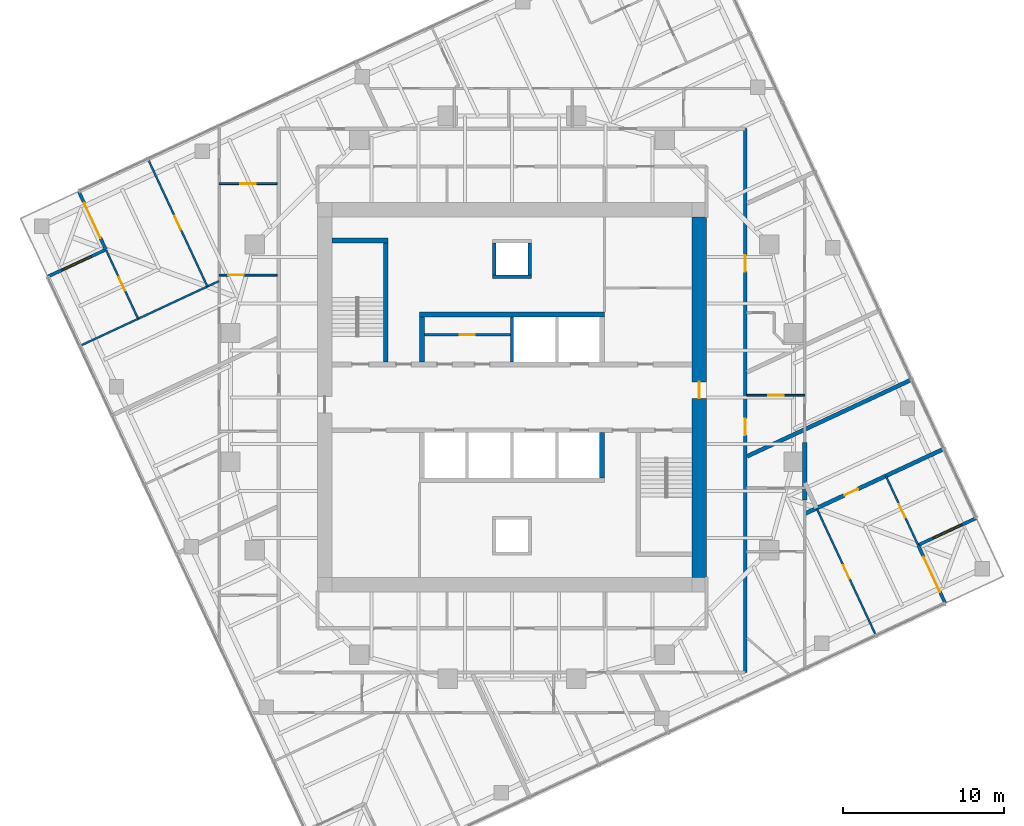
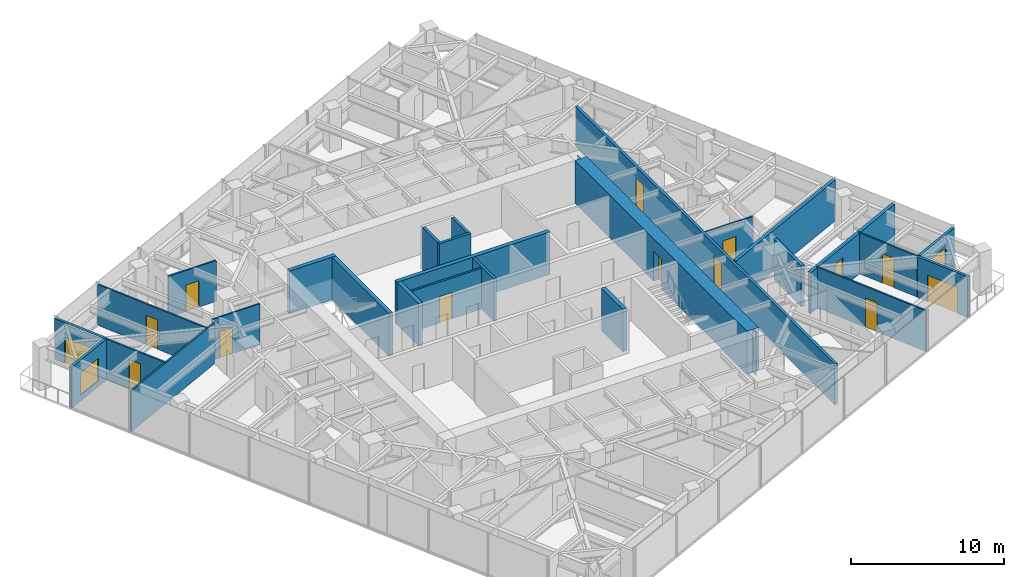
# One storey, part 9 of 13: 27 walls, 14 doors, 2 windows, 16 openings.
"""IFC4 building model written with IfcOpenShell, lengths in metres."""

from ifc_helpers import new_model, si_unit, direction, frame, frame_2d, origin, place, context, subcontext, project, spatial, polyline, rectangle, outline, extrude, material, layer, layer_set, type_object, element, fill, save


model = new_model("IFC4")

# Units and contexts
model_context = context("Model", 3, precision=1e-05, world=origin(), true_north=direction((0.0, 1.0)))
body_context = subcontext(model_context, "Body", "Model", "MODEL_VIEW")
ifc_project = project(units=[si_unit("LENGTHUNIT", "METRE"), si_unit("AREAUNIT", "SQUARE_METRE"), si_unit("VOLUMEUNIT", "CUBIC_METRE"), si_unit("PLANEANGLEUNIT", "RADIAN"), si_unit("MASSUNIT", "GRAM", prefix="KILO")], contexts=[model_context])

# Site, building, storey
site_placement = place(None, origin())
site = spatial("IfcSite", under=ifc_project, at=site_placement, CompositionType="ELEMENT")
building_placement = place(site_placement, origin())
building = spatial("IfcBuilding", under=site, at=building_placement, Name="Torsade Residences", CompositionType="ELEMENT")
storey_placement = place(building_placement, frame((0.0, 0.0, 196.39990234375)))
storey = spatial("IfcBuildingStorey", under=building, at=storey_placement, Name="L54", CompositionType="ELEMENT", Elevation=196.39990234375)

# Walls
ifc_material_1 = material(Name="Concrete 80 MPa", Category="concrete")
ifc_layer_1 = layer(ifc_material_1, 0.300048828125)
ifc_layer_set_1 = layer_set([ifc_layer_1], Name="Concrete 80 MPa")
wall_type_1 = type_object("IfcWallType", Name="CORE INTERNAL WALL 300", PredefinedType="SHEAR", material=ifc_layer_set_1)
wall_1_placement = place(storey_placement, frame((34.25, 35.14990234375, 0.0), z_axis=(0.0, 0.0, 1.0), x_axis=(1.0, 0.0, 0.0)))
element("IfcWall", 1, at=wall_1_placement, inside=storey, type_object=wall_type_1, Name="Core wall BN L54", PredefinedType="SHEAR", context=body_context, shape_type="SweptSolid", body=[
    extrude(rectangle(XDim=11.5, YDim=0.300048828125, at=frame_2d((5.75, 0.0))), origin(), (0.0, 0.0, 1.0), 3.400146484375),
])
for number, where, z_axis, x_axis, name in (
    (2, (34.39990234375, 32.199951171875, 0.0), (0.0, 0.0, 1.0), (0.0, 1.0, 0.0), "Core wall DN0 L54"),
    (3, (45.60009765625, 27.800048828125, 0.0), (0.0, 0.0, 1.0), (0.0, -1.0, 0.0), "Core wall DS0 L54"),
):
    element("IfcWall", number, at=place(storey_placement, frame(where, z_axis=z_axis, x_axis=x_axis)), inside=storey, type_object=wall_type_1, Name=name, PredefinedType="SHEAR", context=body_context, shape_type="SweptSolid", body=[
        extrude(rectangle(XDim=2.800048828125, YDim=0.300048828125, at=frame_2d((1.39990234375, 0.0))), origin(), (0.0, 0.0, 1.0), 3.400146484375),
    ])
wall_2_placement = place(storey_placement, frame((32.14990234375, 32.199951171875, 0.0), z_axis=(0.0, 0.0, 1.0), x_axis=(0.0, 1.0, 0.0)))
element("IfcWall", 4, at=wall_2_placement, inside=storey, type_object=wall_type_1, Name="Core wall ST1E L54", PredefinedType="SHEAR", context=body_context, shape_type="SweptSolid", body=[
    extrude(rectangle(XDim=7.699951171875, YDim=0.300048828125, at=frame_2d((3.85009765625, 0.0))), origin(), (0.0, 0.0, 1.0), 3.400146484375),
])
wall_3_placement = place(storey_placement, frame((28.800048828125, 39.75, 0.0), z_axis=(0.0, 0.0, 1.0), x_axis=(1.0, 0.0, 0.0)))
element("IfcWall", 5, at=wall_3_placement, inside=storey, type_object=wall_type_1, Name="Core wall ST1N L54", PredefinedType="SHEAR", context=body_context, shape_type="SweptSolid", body=[
    extrude(rectangle(XDim=3.5, YDim=0.300048828125, at=frame_2d((1.75, 0.0))), origin(), (0.0, 0.0, 1.0), 3.400146484375),
])

# Wall, opening, door
ifc_material_2 = material(Name="Concrete 80 MPa", Category="concrete")
ifc_layer_2 = layer(ifc_material_2, 0.89990234375)
ifc_layer_set_2 = layer_set([ifc_layer_2], Name="Concrete 80 MPa")
wall_type_2 = type_object("IfcWallType", Name="CORE WALL 900", PredefinedType="SHEAR", material=ifc_layer_set_2)
wall_4_placement = place(storey_placement, frame((51.64990234375, 18.800048828125, 0.0), z_axis=(0.0, 0.0, 1.0), x_axis=(0.0, 1.0, 0.0)))
wall_4 = element("IfcWall", 6, at=wall_4_placement, inside=storey, type_object=wall_type_2, Name="Core wall E L54", PredefinedType="SHEAR", context=body_context, shape_type="SweptSolid", body=[
    extrude(outline(polyline([(0.0, -0.449951171875), (22.39990234375, -0.449951171875), (22.39990234375, -0.02490234375), (22.849853515625, -0.02490234375), (22.849853515625, 0.02490234375), (22.39990234375, 0.02490234375), (22.39990234375, 0.449951171875), (0.0, 0.449951171875), (0.0, 0.02490234375), (-0.449951171875, 0.02490234375), (-0.449951171875, -0.02490234375), (0.0, -0.02490234375), (0.0, -0.449951171875)])), origin(), (0.0, 0.0, 1.0), 3.400146484375),
])
opening_1_placement = place(wall_4_placement, frame((11.139892578125, 0.0, 0.0)))
opening_1 = element("IfcOpeningElement", 7, at=opening_1_placement, cuts=wall_4, Name="Opening D04", PredefinedType="OPENING", context=body_context, shape_type="SweptSolid", body=[
    extrude(rectangle(XDim=1.02001953125, YDim=2.39990234375, at=frame_2d((0.510009765625, 1.199951171875))), frame((0.0, 0.4599609375, 0.0), z_axis=(0.0, -1.0, 0.0), x_axis=(1.0, 0.0, 0.0)), (0.0, 0.0, 1.0), 0.919921875),
])
ifc_material_3 = material(Name="Steel-framed fire door", Category="steel")
door_type_1 = type_object("IfcDoorType", Name="LOBBY SMOKE DOOR 1020x2400", OperationType="NOTDEFINED", PredefinedType="DOOR", material=ifc_material_3)
door_1_placement = place(opening_1_placement, origin())
door_1 = element("IfcDoor", 8, at=door_1_placement, inside=storey, type_object=door_type_1, Name="Lift lobby door E L54", OperationType="SINGLE_SWING_LEFT", OverallHeight=2.39990234375, OverallWidth=1.02001953125, PredefinedType="DOOR", context=body_context, shape_type="SweptSolid", body=[
    extrude(rectangle(XDim=1.02001953125, YDim=2.39990234375, at=frame_2d((0.510009765625, 1.199951171875))), frame((0.0, 0.02490234375, 0.0), z_axis=(0.0, -1.0, 0.0), x_axis=(1.0, 0.0, 0.0)), (0.0, 0.0, 1.0), 0.050048828125),
])
fill(opening_1, door_1)

# Wall, openings, doors
ifc_material_4 = material(Name="Plasterboard on steel stud", Category="steel")
ifc_layer_3 = layer(ifc_material_4, 0.199951171875)
ifc_layer_set_3 = layer_set([ifc_layer_3], Name="Plasterboard on steel stud")
wall_type_3 = type_object("IfcWallType", Name="CORRIDOR WALL 200", PredefinedType="PARTITIONING", material=ifc_layer_set_3)
wall_5_placement = place(storey_placement, frame((54.5, 12.89990234375, 0.0), z_axis=(0.0, 0.0, 1.0), x_axis=(0.0, 1.0, 0.0)))
wall_5 = element("IfcWall", 9, at=wall_5_placement, inside=storey, type_object=wall_type_3, Name="Corridor wall L54", PredefinedType="PARTITIONING", context=body_context, shape_type="SweptSolid", body=[
    extrude(rectangle(XDim=33.800048828125, YDim=0.199951171875, at=frame_2d((16.89990234375, 0.0))), origin(), (0.0, 0.0, 1.0), 3.25),
])
opening_2_placement = place(wall_5_placement, frame((24.910888671875, 0.0, 0.0)))
opening_2 = element("IfcOpeningElement", 10, at=opening_2_placement, cuts=wall_5, Name="Opening D01", PredefinedType="OPENING", context=body_context, shape_type="SweptSolid", body=[
    extrude(rectangle(XDim=1.02001953125, YDim=2.340087890625, at=frame_2d((0.510009765625, 1.169921875))), frame((0.0, 0.10986328125, 0.0), z_axis=(0.0, -1.0, 0.0), x_axis=(1.0, 0.0, 0.0)), (0.0, 0.0, 1.0), 0.219970703125),
])
opening_3_placement = place(wall_5_placement, frame((14.759033203125, 0.0, 0.0)))
opening_3 = element("IfcOpeningElement", 11, at=opening_3_placement, cuts=wall_5, Name="Opening D01", PredefinedType="OPENING", context=body_context, shape_type="SweptSolid", body=[
    extrude(rectangle(XDim=1.02001953125, YDim=2.340087890625, at=frame_2d((0.510009765625, 1.169921875))), frame((0.0, 0.10986328125, 0.0), z_axis=(0.0, -1.0, 0.0), x_axis=(1.0, 0.0, 0.0)), (0.0, 0.0, 1.0), 0.219970703125),
])
ifc_material_5 = material(Name="Solid-core timber fire door", Category="wood")
door_type_2 = type_object("IfcDoorType", Name="APARTMENT ENTRY DOOR 1020x2340", OperationType="NOTDEFINED", PredefinedType="DOOR", material=ifc_material_5)
door_2_placement = place(opening_2_placement, origin())
door_2 = element("IfcDoor", 12, at=door_2_placement, inside=storey, type_object=door_type_2, Name="Door Residential corridor to Kitchen and dining", OperationType="SINGLE_SWING_RIGHT", OverallHeight=2.340087890625, OverallWidth=1.02001953125, PredefinedType="DOOR", context=body_context, shape_type="SweptSolid", body=[
    extrude(rectangle(XDim=1.02001953125, YDim=2.340087890625, at=frame_2d((0.510009765625, 1.169921875))), frame((0.0, 0.02490234375, 0.0), z_axis=(0.0, -1.0, 0.0), x_axis=(1.0, 0.0, 0.0)), (0.0, 0.0, 1.0), 0.050048828125),
])
fill(opening_2, door_2)
door_3_placement = place(opening_3_placement, origin())
door_3 = element("IfcDoor", 13, at=door_3_placement, inside=storey, type_object=door_type_2, Name="Door Residential corridor to Kitchen and dining", OperationType="SINGLE_SWING_RIGHT", OverallHeight=2.340087890625, OverallWidth=1.02001953125, PredefinedType="DOOR", context=body_context, shape_type="SweptSolid", body=[
    extrude(rectangle(XDim=1.02001953125, YDim=2.340087890625, at=frame_2d((0.510009765625, 1.169921875))), frame((0.0, 0.02490234375, 0.0), z_axis=(0.0, -1.0, 0.0), x_axis=(1.0, 0.0, 0.0)), (0.0, 0.0, 1.0), 0.050048828125),
])
fill(opening_3, door_3)

# Wall
ifc_material_6 = material(Name="Reinforced blockwork", Category="masonry")
ifc_layer_4 = layer(ifc_material_6, 0.199951171875)
ifc_layer_set_4 = layer_set([ifc_layer_4], Name="Reinforced blockwork")
wall_type_4 = type_object("IfcWallType", Name="LIFT SHAFT DIVIDING WALL 200", PredefinedType="SOLIDWALL", material=ifc_layer_set_4)
wall_6_placement = place(storey_placement, frame((40.0, 32.199951171875, 0.0), z_axis=(0.0, 0.0, 1.0), x_axis=(0.0, 1.0, 0.0)))
element("IfcWall", 14, at=wall_6_placement, inside=storey, type_object=wall_type_4, Name="Core wall DN2 L54", PredefinedType="SOLIDWALL", context=body_context, shape_type="SweptSolid", body=[
    extrude(rectangle(XDim=2.800048828125, YDim=0.199951171875, at=frame_2d((1.39990234375, 0.0))), origin(), (0.0, 0.0, 1.0), 3.400146484375),
])

# Wall, opening, door
ifc_material_7 = material(Name="Plasterboard on steel stud", Category="steel")
ifc_layer_5 = layer(ifc_material_7, 0.1201171875)
ifc_layer_set_5 = layer_set([ifc_layer_5], Name="Plasterboard on steel stud")
wall_type_5 = type_object("IfcWallType", Name="PARTITION 120", PredefinedType="PARTITIONING", material=ifc_layer_set_5)
wall_7_placement = place(storey_placement, frame((62.6181640625, 15.21337890625, 0.0), z_axis=(0.0, 0.0, 1.0), x_axis=(-0.422604635972, 0.906314140712, 0.0)))
wall_7 = element("IfcWall", 15, at=wall_7_placement, inside=storey, type_object=wall_type_5, Name="Partition L54", PredefinedType="PARTITIONING", context=body_context, shape_type="SweptSolid", body=[
    extrude(rectangle(XDim=8.7099609375, YDim=0.1201171875, at=frame_2d((4.35498046875, 0.0))), origin(), (0.0, 0.0, 1.0), 3.25),
])
opening_4_placement = place(wall_7_placement, frame((3.875, 0.0, 0.0)))
opening_4 = element("IfcOpeningElement", 16, at=opening_4_placement, cuts=wall_7, Name="Opening D02", PredefinedType="OPENING", context=body_context, shape_type="SweptSolid", body=[
    extrude(rectangle(XDim=0.919921875, YDim=2.340087890625, at=frame_2d((0.4599609375, 1.169921875))), frame((0.0, 0.070068359375, 0.0), z_axis=(0.0, -1.0, 0.0), x_axis=(1.0, 0.0, 0.0)), (0.0, 0.0, 1.0), 0.14013671875),
])
ifc_material_8 = material(Name="Hollow-core timber door", Category="wood")
door_type_3 = type_object("IfcDoorType", Name="INTERNAL DOOR 920x2340", OperationType="NOTDEFINED", PredefinedType="DOOR", material=ifc_material_8)
door_4_placement = place(opening_4_placement, origin())
door_4 = element("IfcDoor", 17, at=door_4_placement, inside=storey, type_object=door_type_3, Name="Door Bedroom 2 to Living room", OperationType="SINGLE_SWING_RIGHT", OverallHeight=2.340087890625, OverallWidth=0.919921875, PredefinedType="DOOR", context=body_context, shape_type="SweptSolid", body=[
    extrude(rectangle(XDim=0.919921875, YDim=2.340087890625, at=frame_2d((0.4599609375, 1.169921875))), frame((0.0, 0.02490234375, 0.0), z_axis=(0.0, -1.0, 0.0), x_axis=(1.0, 0.0, 0.0)), (0.0, 0.0, 1.0), 0.050048828125),
])
fill(opening_4, door_4)

wall_8_placement = place(storey_placement, frame((63.2421875, 25.114990234375, 0.0), z_axis=(0.0, 0.0, 1.0), x_axis=(0.422601682441, -0.906315517906, 0.0)))
wall_8 = element("IfcWall", 18, at=wall_8_placement, inside=storey, type_object=wall_type_5, Name="Partition L54", PredefinedType="PARTITIONING", context=body_context, shape_type="SweptSolid", body=[
    extrude(rectangle(XDim=4.7099609375, YDim=0.1201171875, at=frame_2d((2.35498046875, 0.0))), origin(), (0.0, 0.0, 1.0), 3.25),
])
opening_5_placement = place(wall_8_placement, frame((1.93994140625, 0.0, 0.0)))
opening_5 = element("IfcOpeningElement", 19, at=opening_5_placement, cuts=wall_8, Name="Opening D02", PredefinedType="OPENING", context=body_context, shape_type="SweptSolid", body=[
    extrude(rectangle(XDim=0.919921875, YDim=2.340087890625, at=frame_2d((0.4599609375, 1.169921875))), frame((0.0, 0.070068359375, 0.0), z_axis=(0.0, -1.0, 0.0), x_axis=(1.0, 0.0, 0.0)), (0.0, 0.0, 1.0), 0.14013671875),
])
door_5_placement = place(opening_5_placement, origin())
door_5 = element("IfcDoor", 20, at=door_5_placement, inside=storey, type_object=door_type_3, Name="Door Living room to Bedroom 3", OperationType="SINGLE_SWING_LEFT", OverallHeight=2.340087890625, OverallWidth=0.919921875, PredefinedType="DOOR", context=body_context, shape_type="SweptSolid", body=[
    extrude(rectangle(XDim=0.919921875, YDim=2.340087890625, at=frame_2d((0.4599609375, 1.169921875))), frame((0.0, 0.02490234375, 0.0), z_axis=(0.0, -1.0, 0.0), x_axis=(1.0, 0.0, 0.0)), (0.0, 0.0, 1.0), 0.050048828125),
])
fill(opening_5, door_5)

wall_9_placement = place(storey_placement, frame((54.60009765625, 30.131103515625, 0.0), z_axis=(0.0, 0.0, 1.0), x_axis=(1.0, 0.0, 0.0)))
wall_9 = element("IfcWall", 21, at=wall_9_placement, inside=storey, type_object=wall_type_5, Name="Partition L54", PredefinedType="PARTITIONING", context=body_context, shape_type="SweptSolid", body=[
    extrude(rectangle(XDim=3.599853515625, YDim=0.1201171875, at=frame_2d((1.7998046875, 0.0))), origin(), (0.0, 0.0, 1.0), 3.25),
])
opening_6_placement = place(wall_9_placement, frame((1.320068359375, 0.0, 0.0)))
opening_6 = element("IfcOpeningElement", 22, at=opening_6_placement, cuts=wall_9, Name="Opening D05", PredefinedType="OPENING", context=body_context, shape_type="SweptSolid", body=[
    extrude(rectangle(XDim=0.9599609375, YDim=2.10009765625, at=frame_2d((0.47998046875, 1.050048828125))), frame((0.0, 0.070068359375, 0.0), z_axis=(0.0, -1.0, 0.0), x_axis=(1.0, 0.0, 0.0)), (0.0, 0.0, 1.0), 0.14013671875),
])
ifc_material_9 = material(Name="Hollow-core timber door in a steel cavity frame", Category="steel")
door_type_4 = type_object("IfcDoorType", Name="BATHROOM CAVITY SLIDING DOOR 960", OperationType="SLIDING_TO_LEFT", PredefinedType="DOOR", material=ifc_material_9)
door_6_placement = place(opening_6_placement, origin())
door_6 = element("IfcDoor", 23, at=door_6_placement, inside=storey, type_object=door_type_4, Name="Door Kitchen and dining to Bathroom", OperationType="SLIDING_TO_LEFT", OverallHeight=2.10009765625, OverallWidth=0.9599609375, PredefinedType="DOOR", context=body_context, shape_type="SweptSolid", body=[
    extrude(rectangle(XDim=0.9599609375, YDim=2.10009765625, at=frame_2d((0.47998046875, 1.050048828125))), frame((0.0, 0.02490234375, 0.0), z_axis=(0.0, -1.0, 0.0), x_axis=(1.0, 0.0, 0.0)), (0.0, 0.0, 1.0), 0.050048828125),
])
fill(opening_6, door_6)

wall_10_placement = place(storey_placement, frame((25.39990234375, 43.285888671875, 0.0), z_axis=(0.0, 0.0, 1.0), x_axis=(-1.0, 0.0, 0.0)))
wall_10 = element("IfcWall", 24, at=wall_10_placement, inside=storey, type_object=wall_type_5, Name="Partition L54", PredefinedType="PARTITIONING", context=body_context, shape_type="SweptSolid", body=[
    extrude(rectangle(XDim=3.599853515625, YDim=0.1201171875, at=frame_2d((1.7998046875, 0.0))), origin(), (0.0, 0.0, 1.0), 3.25),
])
opening_7_placement = place(wall_10_placement, frame((1.320068359375, 0.0, 0.0)))
opening_7 = element("IfcOpeningElement", 25, at=opening_7_placement, cuts=wall_10, Name="Opening D05", PredefinedType="OPENING", context=body_context, shape_type="SweptSolid", body=[
    extrude(rectangle(XDim=0.9599609375, YDim=2.10009765625, at=frame_2d((0.47998046875, 1.050048828125))), frame((0.0, 0.070068359375, 0.0), z_axis=(0.0, -1.0, 0.0), x_axis=(1.0, 0.0, 0.0)), (0.0, 0.0, 1.0), 0.14013671875),
])
door_7_placement = place(opening_7_placement, origin())
door_7 = element("IfcDoor", 26, at=door_7_placement, inside=storey, type_object=door_type_4, Name="Door Kitchen and dining to Bathroom", OperationType="SLIDING_TO_LEFT", OverallHeight=2.10009765625, OverallWidth=0.9599609375, PredefinedType="DOOR", context=body_context, shape_type="SweptSolid", body=[
    extrude(rectangle(XDim=0.9599609375, YDim=2.10009765625, at=frame_2d((0.47998046875, 1.050048828125))), frame((0.0, 0.02490234375, 0.0), z_axis=(0.0, -1.0, 0.0), x_axis=(1.0, 0.0, 0.0)), (0.0, 0.0, 1.0), 0.050048828125),
])
fill(opening_7, door_7)

wall_11_placement = place(storey_placement, frame((25.39990234375, 37.602294921875, 0.0), z_axis=(0.0, 0.0, 1.0), x_axis=(-1.0, 0.0, 0.0)))
wall_11 = element("IfcWall", 27, at=wall_11_placement, inside=storey, type_object=wall_type_5, Name="Partition L54", PredefinedType="PARTITIONING", context=body_context, shape_type="SweptSolid", body=[
    extrude(rectangle(XDim=3.599853515625, YDim=0.1201171875, at=frame_2d((1.7998046875, 0.0))), origin(), (0.0, 0.0, 1.0), 3.25),
])
opening_8_placement = place(wall_11_placement, frame((2.070068359375, 0.0, 0.0)))
opening_8 = element("IfcOpeningElement", 28, at=opening_8_placement, cuts=wall_11, Name="Opening D05", PredefinedType="OPENING", context=body_context, shape_type="SweptSolid", body=[
    extrude(rectangle(XDim=0.9599609375, YDim=2.10009765625, at=frame_2d((0.47998046875, 1.050048828125))), frame((0.0, 0.070068359375, 0.0), z_axis=(0.0, -1.0, 0.0), x_axis=(1.0, 0.0, 0.0)), (0.0, 0.0, 1.0), 0.14013671875),
])
door_8_placement = place(opening_8_placement, origin())
door_8 = element("IfcDoor", 29, at=door_8_placement, inside=storey, type_object=door_type_4, Name="Door Bathroom to Ensuite", OperationType="SLIDING_TO_LEFT", OverallHeight=2.10009765625, OverallWidth=0.9599609375, PredefinedType="DOOR", context=body_context, shape_type="SweptSolid", body=[
    extrude(rectangle(XDim=0.9599609375, YDim=2.10009765625, at=frame_2d((0.47998046875, 1.050048828125))), frame((0.0, 0.02490234375, 0.0), z_axis=(0.0, -1.0, 0.0), x_axis=(1.0, 0.0, 0.0)), (0.0, 0.0, 1.0), 0.050048828125),
])
fill(opening_8, door_8)

# Wall
wall_12_placement = place(storey_placement, frame((21.78515625, 37.2294921875, 0.0), z_axis=(0.0, 0.0, 1.0), x_axis=(-0.906297260976, -0.422640834216, 0.0)))
element("IfcWall", 30, at=wall_12_placement, inside=storey, type_object=wall_type_5, Name="Partition L54", PredefinedType="PARTITIONING", context=body_context, shape_type="SweptSolid", body=[
    extrude(rectangle(XDim=9.507080078125, YDim=0.1201171875, at=frame_2d((4.75341796875, 0.0))), origin(), (0.0, 0.0, 1.0), 3.25),
])

# Wall, opening, door
wall_13_placement = place(storey_placement, frame((16.7578125, 34.885009765625, 0.0), z_axis=(0.0, 0.0, 1.0), x_axis=(-0.422601682441, 0.906315517906, 0.0)))
wall_13 = element("IfcWall", 31, at=wall_13_placement, inside=storey, type_object=wall_type_5, Name="Partition L54", PredefinedType="PARTITIONING", context=body_context, shape_type="SweptSolid", body=[
    extrude(rectangle(XDim=4.7099609375, YDim=0.1201171875, at=frame_2d((2.35498046875, 0.0))), origin(), (0.0, 0.0, 1.0), 3.25),
])
opening_9_placement = place(wall_13_placement, frame((1.93994140625, 0.0, 0.0)))
opening_9 = element("IfcOpeningElement", 32, at=opening_9_placement, cuts=wall_13, Name="Opening D02", PredefinedType="OPENING", context=body_context, shape_type="SweptSolid", body=[
    extrude(rectangle(XDim=0.919921875, YDim=2.340087890625, at=frame_2d((0.4599609375, 1.169921875))), frame((0.0, 0.070068359375, 0.0), z_axis=(0.0, -1.0, 0.0), x_axis=(1.0, 0.0, 0.0)), (0.0, 0.0, 1.0), 0.14013671875),
])
door_9_placement = place(opening_9_placement, origin())
door_9 = element("IfcDoor", 33, at=door_9_placement, inside=storey, type_object=door_type_3, Name="Door Living room to Bedroom 3", OperationType="SINGLE_SWING_LEFT", OverallHeight=2.340087890625, OverallWidth=0.919921875, PredefinedType="DOOR", context=body_context, shape_type="SweptSolid", body=[
    extrude(rectangle(XDim=0.919921875, YDim=2.340087890625, at=frame_2d((0.4599609375, 1.169921875))), frame((0.0, 0.02490234375, 0.0), z_axis=(0.0, -1.0, 0.0), x_axis=(1.0, 0.0, 0.0)), (0.0, 0.0, 1.0), 0.050048828125),
])
fill(opening_9, door_9)

wall_14_placement = place(storey_placement, frame((17.3818359375, 44.78662109375, 0.0), z_axis=(0.0, 0.0, 1.0), x_axis=(0.422604635972, -0.906314140712, 0.0)))
wall_14 = element("IfcWall", 34, at=wall_14_placement, inside=storey, type_object=wall_type_5, Name="Partition L54", PredefinedType="PARTITIONING", context=body_context, shape_type="SweptSolid", body=[
    extrude(rectangle(XDim=8.7099609375, YDim=0.1201171875, at=frame_2d((4.35498046875, 0.0))), origin(), (0.0, 0.0, 1.0), 3.25),
])
opening_10_placement = place(wall_14_placement, frame((3.875, 0.0, 0.0)))
opening_10 = element("IfcOpeningElement", 35, at=opening_10_placement, cuts=wall_14, Name="Opening D02", PredefinedType="OPENING", context=body_context, shape_type="SweptSolid", body=[
    extrude(rectangle(XDim=0.919921875, YDim=2.340087890625, at=frame_2d((0.4599609375, 1.169921875))), frame((0.0, 0.070068359375, 0.0), z_axis=(0.0, -1.0, 0.0), x_axis=(1.0, 0.0, 0.0)), (0.0, 0.0, 1.0), 0.14013671875),
])
door_10_placement = place(opening_10_placement, origin())
door_10 = element("IfcDoor", 36, at=door_10_placement, inside=storey, type_object=door_type_3, Name="Door Bedroom 2 to Living room", OperationType="SINGLE_SWING_RIGHT", OverallHeight=2.340087890625, OverallWidth=0.919921875, PredefinedType="DOOR", context=body_context, shape_type="SweptSolid", body=[
    extrude(rectangle(XDim=0.919921875, YDim=2.340087890625, at=frame_2d((0.4599609375, 1.169921875))), frame((0.0, 0.02490234375, 0.0), z_axis=(0.0, -1.0, 0.0), x_axis=(1.0, 0.0, 0.0)), (0.0, 0.0, 1.0), 0.050048828125),
])
fill(opening_10, door_10)

# Walls
ifc_material_10 = material(Name="Masonry-lined stud party wall", Category="masonry")
ifc_layer_6 = layer(ifc_material_10, 0.25)
ifc_layer_set_6 = layer_set([ifc_layer_6], Name="Masonry-lined stud party wall")
wall_type_6 = type_object("IfcWallType", Name="PARTY WALL 250", PredefinedType="PARTITIONING", material=ifc_layer_set_6)
wall_15_placement = place(storey_placement, frame((64.85986328125, 31.1103515625, 0.0), z_axis=(0.0, 0.0, 1.0), x_axis=(-0.906306714884, -0.422620560972, 0.0)))
element("IfcWall", 37, at=wall_15_placement, inside=storey, type_object=wall_type_6, Name="Party wall L54", PredefinedType="PARTITIONING", context=body_context, shape_type="SweptSolid", body=[
    extrude(rectangle(XDim=11.30224609375, YDim=0.25, at=frame_2d((5.651123046875, 0.0))), origin(), (0.0, 0.0, 1.0), 3.25),
])
wall_16_placement = place(storey_placement, frame((58.199951171875, 27.199951171875, 0.0), z_axis=(0.0, 0.0, 1.0), x_axis=(0.0, -1.0, 0.0)))
element("IfcWall", 38, at=wall_16_placement, inside=storey, type_object=wall_type_6, Name="Party wall L54", PredefinedType="PARTITIONING", context=body_context, shape_type="SweptSolid", body=[
    extrude(rectangle(XDim=3.567626953125, YDim=0.25, at=frame_2d((1.78369140625, 0.0))), origin(), (0.0, 0.0, 1.0), 3.25),
])

# Wall, opening, door
wall_17_placement = place(storey_placement, frame((58.199951171875, 22.763671875, 0.0), z_axis=(0.0, 0.0, 1.0), x_axis=(0.906301646474, 0.422631429971, 0.0)))
wall_17 = element("IfcWall", 39, at=wall_17_placement, inside=storey, type_object=wall_type_6, Name="Party wall L54", PredefinedType="PARTITIONING", context=body_context, shape_type="SweptSolid", body=[
    extrude(rectangle(XDim=9.5234375, YDim=0.25, at=frame_2d((4.76171875, 0.0))), origin(), (0.0, 0.0, 1.0), 3.25),
])
opening_11_placement = place(wall_17_placement, frame((2.728515625, 0.0, 0.0)))
opening_11 = element("IfcOpeningElement", 40, at=opening_11_placement, cuts=wall_17, Name="Opening D02", PredefinedType="OPENING", context=body_context, shape_type="SweptSolid", body=[
    extrude(rectangle(XDim=0.919921875, YDim=2.340087890625, at=frame_2d((0.4599609375, 1.169921875))), frame((0.0, 0.135009765625, 0.0), z_axis=(0.0, -1.0, 0.0), x_axis=(1.0, 0.0, 0.0)), (0.0, 0.0, 1.0), 0.27001953125),
])
door_11_placement = place(opening_11_placement, origin())
door_11 = element("IfcDoor", 41, at=door_11_placement, inside=storey, type_object=door_type_3, Name="Door Living room to Bedroom 1", OperationType="SINGLE_SWING_LEFT", OverallHeight=2.340087890625, OverallWidth=0.919921875, PredefinedType="DOOR", context=body_context, shape_type="SweptSolid", body=[
    extrude(rectangle(XDim=0.919921875, YDim=2.340087890625, at=frame_2d((0.4599609375, 1.169921875))), frame((0.0, 0.02490234375, 0.0), z_axis=(0.0, -1.0, 0.0), x_axis=(1.0, 0.0, 0.0)), (0.0, 0.0, 1.0), 0.050048828125),
])
fill(opening_11, door_11)

# Walls
ifc_material_11 = material(Name="Reinforced blockwork", Category="masonry")
ifc_layer_7 = layer(ifc_material_11, 0.199951171875)
ifc_layer_set_7 = layer_set([ifc_layer_7], Name="Reinforced blockwork")
wall_type_7 = type_object("IfcWallType", Name="RISER SHAFT WALL 200", PredefinedType="SOLIDWALL", material=ifc_layer_set_7)
for number, where, z_axis, x_axis, name in (
    (42, (38.89990234375, 37.60009765625, 0.0), (0.0, 0.0, 1.0), (0.0, 1.0, 0.0), "Core wall RS1a L54"),
    (43, (41.10009765625, 37.60009765625, 0.0), (0.0, 0.0, 1.0), (0.0, 1.0, 0.0), "Core wall RS1b L54"),
):
    element("IfcWall", number, at=place(storey_placement, frame(where, z_axis=z_axis, x_axis=x_axis)), inside=storey, type_object=wall_type_7, Name=name, PredefinedType="SOLIDWALL", context=body_context, shape_type="SweptSolid", body=[
        extrude(rectangle(XDim=2.0, YDim=0.199951171875, at=frame_2d((1.0, 0.0))), origin(), (0.0, 0.0, 1.0), 3.400146484375),
    ])
wall_18_placement = place(storey_placement, frame((38.800048828125, 37.5, 0.0), z_axis=(0.0, 0.0, 1.0), x_axis=(1.0, 0.0, 0.0)))
element("IfcWall", 44, at=wall_18_placement, inside=storey, type_object=wall_type_7, Name="Core wall RS1c L54", PredefinedType="SOLIDWALL", context=body_context, shape_type="SweptSolid", body=[
    extrude(rectangle(XDim=2.39990234375, YDim=0.199951171875, at=frame_2d((1.199951171875, 0.0))), origin(), (0.0, 0.0, 1.0), 3.400146484375),
])

# Wall, opening, door
ifc_material_12 = material(Name="Reinforced blockwork", Category="masonry")
ifc_layer_8 = layer(ifc_material_12, 0.14990234375)
ifc_layer_set_8 = layer_set([ifc_layer_8], Name="Reinforced blockwork")
wall_type_8 = type_object("IfcWallType", Name="SERVICE ROOM WALL 150", PredefinedType="SOLIDWALL", material=ifc_layer_set_8)
wall_19_placement = place(storey_placement, frame((34.550048828125, 33.89990234375, 0.0), z_axis=(0.0, 0.0, 1.0), x_axis=(1.0, 0.0, 0.0)))
wall_19 = element("IfcWall", 45, at=wall_19_placement, inside=storey, type_object=wall_type_8, Name="Service room wall L54", PredefinedType="SOLIDWALL", context=body_context, shape_type="SweptSolid", body=[
    extrude(rectangle(XDim=5.349853515625, YDim=0.14990234375, at=frame_2d((2.6748046875, 0.0))), origin(), (0.0, 0.0, 1.0), 3.25),
])
opening_12_placement = place(wall_19_placement, frame((2.215087890625, 0.0, 0.0)))
opening_12 = element("IfcOpeningElement", 46, at=opening_12_placement, cuts=wall_19, Name="Opening D06", PredefinedType="OPENING", context=body_context, shape_type="SweptSolid", body=[
    extrude(rectangle(XDim=0.919921875, YDim=2.10009765625, at=frame_2d((0.4599609375, 1.050048828125))), frame((0.0, 0.0849609375, 0.0), z_axis=(0.0, -1.0, 0.0), x_axis=(1.0, 0.0, 0.0)), (0.0, 0.0, 1.0), 0.169921875),
])
ifc_material_13 = material(Name="Steel-framed fire door", Category="steel")
door_type_5 = type_object("IfcDoorType", Name="FIRE DOOR 920", OperationType="NOTDEFINED", PredefinedType="DOOR", material=ifc_material_13)
door_12_placement = place(opening_12_placement, origin())
door_12 = element("IfcDoor", 47, at=door_12_placement, inside=storey, type_object=door_type_5, Name="Door Residents storage L54A to Equipment store L54B", OperationType="SINGLE_SWING_RIGHT", OverallHeight=2.10009765625, OverallWidth=0.919921875, PredefinedType="DOOR", context=body_context, shape_type="SweptSolid", body=[
    extrude(rectangle(XDim=0.919921875, YDim=2.10009765625, at=frame_2d((0.4599609375, 1.050048828125))), frame((0.0, 0.02490234375, 0.0), z_axis=(0.0, -1.0, 0.0), x_axis=(1.0, 0.0, 0.0)), (0.0, 0.0, 1.0), 0.050048828125),
])
fill(opening_12, door_12)

ifc_material_14 = material(Name="Stone-faced precast concrete 40 MPa panel", Category="masonry")
ifc_layer_9 = layer(ifc_material_14, 0.199951171875)
ifc_layer_set_9 = layer_set([ifc_layer_9], Name="Stone-faced precast concrete 40 MPa panel")
wall_type_9 = type_object("IfcWallType", Name="TERRACE WALL 200", PredefinedType="SOLIDWALL", material=ifc_layer_set_9)
wall_20_placement = place(storey_placement, frame((66.940185546875, 17.1845703125, 0.0), z_axis=(0.0, 0.0, 1.0), x_axis=(-0.422658246362, 0.906289140828, 0.0)))
wall_20 = element("IfcWall", 48, at=wall_20_placement, inside=storey, type_object=wall_type_9, Name="Terrace wall L54 2", PredefinedType="SOLIDWALL", context=body_context, shape_type="SweptSolid", body=[
    extrude(rectangle(XDim=4.0, YDim=0.199951171875, at=frame_2d((2.0, 0.0))), origin(), (0.0, 0.0, 1.0), 3.25),
])
opening_13_placement = place(wall_20_placement, frame((0.800048828125, 0.0, 0.0)))
opening_13 = element("IfcOpeningElement", 49, at=opening_13_placement, cuts=wall_20, Name="Opening D10A", PredefinedType="OPENING", context=body_context, shape_type="SweptSolid", body=[
    extrude(rectangle(XDim=2.39990234375, YDim=2.10009765625, at=frame_2d((1.199951171875, 1.050048828125))), frame((0.0, 0.10986328125, 0.0), z_axis=(0.0, -1.0, 0.0), x_axis=(1.0, 0.0, 0.0)), (0.0, 0.0, 1.0), 0.219970703125),
])
ifc_material_15 = material(Name="Aluminium-framed glass door", Category="aluminium")
door_type_6 = type_object("IfcDoorType", Name="TERRACE SLIDING DOOR 2400x2100", OperationType="SLIDING_TO_LEFT", PredefinedType="DOOR", material=ifc_material_15)
door_13_placement = place(opening_13_placement, origin())
door_13 = element("IfcDoor", 50, at=door_13_placement, inside=storey, type_object=door_type_6, Name="Terrace door L54 2", OperationType="SLIDING_TO_LEFT", OverallHeight=2.10009765625, OverallWidth=2.39990234375, PredefinedType="DOOR", context=body_context, shape_type="SweptSolid", body=[
    extrude(rectangle(XDim=2.39990234375, YDim=2.10009765625, at=frame_2d((1.199951171875, 1.050048828125))), frame((0.0, 0.02490234375, 0.0), z_axis=(0.0, -1.0, 0.0), x_axis=(1.0, 0.0, 0.0)), (0.0, 0.0, 1.0), 0.050048828125),
])
fill(opening_13, door_13)

# Wall, opening, window
wall_21_placement = place(storey_placement, frame((65.24951171875, 20.809814453125, 0.0), z_axis=(0.0, 0.0, 1.0), x_axis=(0.906289140828, 0.422658246362, 0.0)))
wall_21 = element("IfcWall", 51, at=wall_21_placement, inside=storey, type_object=wall_type_9, Name="Terrace wall L54 3", PredefinedType="SOLIDWALL", context=body_context, shape_type="SweptSolid", body=[
    extrude(rectangle(XDim=4.0, YDim=0.199951171875, at=frame_2d((2.0, 0.0))), origin(), (0.0, 0.0, 1.0), 3.25),
])
opening_14_placement = place(wall_21_placement, frame((1.0, 0.0, 0.449951171875)))
opening_14 = element("IfcOpeningElement", 52, at=opening_14_placement, cuts=wall_21, Name="Opening W1B", PredefinedType="OPENING", context=body_context, shape_type="SweptSolid", body=[
    extrude(rectangle(XDim=2.0, YDim=1.800048828125, at=frame_2d((1.0, 0.89990234375))), frame((0.0, 0.10986328125, 0.0), z_axis=(0.0, -1.0, 0.0), x_axis=(1.0, 0.0, 0.0)), (0.0, 0.0, 1.0), 0.219970703125),
])
ifc_material_16 = material(Name="Aluminium-framed glass window", Category="aluminium")
window_type = type_object("IfcWindowType", Name="TERRACE WINDOW 2000x1800", PartitioningType="SINGLE_PANEL", PredefinedType="WINDOW", material=ifc_material_16)
window_1_placement = place(opening_14_placement, origin())
window_1 = element("IfcWindow", 53, at=window_1_placement, inside=storey, type_object=window_type, Name="Terrace window L54 3", OverallHeight=1.800048828125, OverallWidth=2.0, PartitioningType="SINGLE_PANEL", PredefinedType="WINDOW", context=body_context, shape_type="SweptSolid", body=[
    extrude(rectangle(XDim=2.0, YDim=1.800048828125, at=frame_2d((1.0, 0.89990234375))), frame((0.0, 0.030029296875, 0.0), z_axis=(0.0, -1.0, 0.0), x_axis=(1.0, 0.0, 0.0)), (0.0, 0.0, 1.0), 0.06005859375),
])
fill(opening_14, window_1)

# Wall, opening, door
wall_22_placement = place(storey_placement, frame((13.059814453125, 42.8154296875, 0.0), z_axis=(0.0, 0.0, 1.0), x_axis=(0.422658246362, -0.906289140828, 0.0)))
wall_22 = element("IfcWall", 54, at=wall_22_placement, inside=storey, type_object=wall_type_9, Name="Terrace wall L54 8", PredefinedType="SOLIDWALL", context=body_context, shape_type="SweptSolid", body=[
    extrude(rectangle(XDim=4.0, YDim=0.199951171875, at=frame_2d((2.0, 0.0))), origin(), (0.0, 0.0, 1.0), 3.25),
])
opening_15_placement = place(wall_22_placement, frame((0.800048828125, 0.0, 0.0)))
opening_15 = element("IfcOpeningElement", 55, at=opening_15_placement, cuts=wall_22, Name="Opening D10A", PredefinedType="OPENING", context=body_context, shape_type="SweptSolid", body=[
    extrude(rectangle(XDim=2.39990234375, YDim=2.10009765625, at=frame_2d((1.199951171875, 1.050048828125))), frame((0.0, 0.10986328125, 0.0), z_axis=(0.0, -1.0, 0.0), x_axis=(1.0, 0.0, 0.0)), (0.0, 0.0, 1.0), 0.219970703125),
])
door_14_placement = place(opening_15_placement, origin())
door_14 = element("IfcDoor", 56, at=door_14_placement, inside=storey, type_object=door_type_6, Name="Terrace door L54 8", OperationType="SLIDING_TO_LEFT", OverallHeight=2.10009765625, OverallWidth=2.39990234375, PredefinedType="DOOR", context=body_context, shape_type="SweptSolid", body=[
    extrude(rectangle(XDim=2.39990234375, YDim=2.10009765625, at=frame_2d((1.199951171875, 1.050048828125))), frame((0.0, 0.02490234375, 0.0), z_axis=(0.0, -1.0, 0.0), x_axis=(1.0, 0.0, 0.0)), (0.0, 0.0, 1.0), 0.050048828125),
])
fill(opening_15, door_14)

# Wall, opening, window
wall_23_placement = place(storey_placement, frame((14.75048828125, 39.190185546875, 0.0), z_axis=(0.0, 0.0, 1.0), x_axis=(-0.906289140828, -0.422658246362, 0.0)))
wall_23 = element("IfcWall", 57, at=wall_23_placement, inside=storey, type_object=wall_type_9, Name="Terrace wall L54 9", PredefinedType="SOLIDWALL", context=body_context, shape_type="SweptSolid", body=[
    extrude(rectangle(XDim=4.0, YDim=0.199951171875, at=frame_2d((2.0, 0.0))), origin(), (0.0, 0.0, 1.0), 3.25),
])
opening_16_placement = place(wall_23_placement, frame((1.0, 0.0, 0.449951171875)))
opening_16 = element("IfcOpeningElement", 58, at=opening_16_placement, cuts=wall_23, Name="Opening W1B", PredefinedType="OPENING", context=body_context, shape_type="SweptSolid", body=[
    extrude(rectangle(XDim=2.0, YDim=1.800048828125, at=frame_2d((1.0, 0.89990234375))), frame((0.0, 0.10986328125, 0.0), z_axis=(0.0, -1.0, 0.0), x_axis=(1.0, 0.0, 0.0)), (0.0, 0.0, 1.0), 0.219970703125),
])
window_2_placement = place(opening_16_placement, origin())
window_2 = element("IfcWindow", 59, at=window_2_placement, inside=storey, type_object=window_type, Name="Terrace window L54 9", OverallHeight=1.800048828125, OverallWidth=2.0, PartitioningType="SINGLE_PANEL", PredefinedType="WINDOW", context=body_context, shape_type="SweptSolid", body=[
    extrude(rectangle(XDim=2.0, YDim=1.800048828125, at=frame_2d((1.0, 0.89990234375))), frame((0.0, 0.030029296875, 0.0), z_axis=(0.0, -1.0, 0.0), x_axis=(1.0, 0.0, 0.0)), (0.0, 0.0, 1.0), 0.06005859375),
])
fill(opening_16, window_2)

save(model, "model.ifc")
